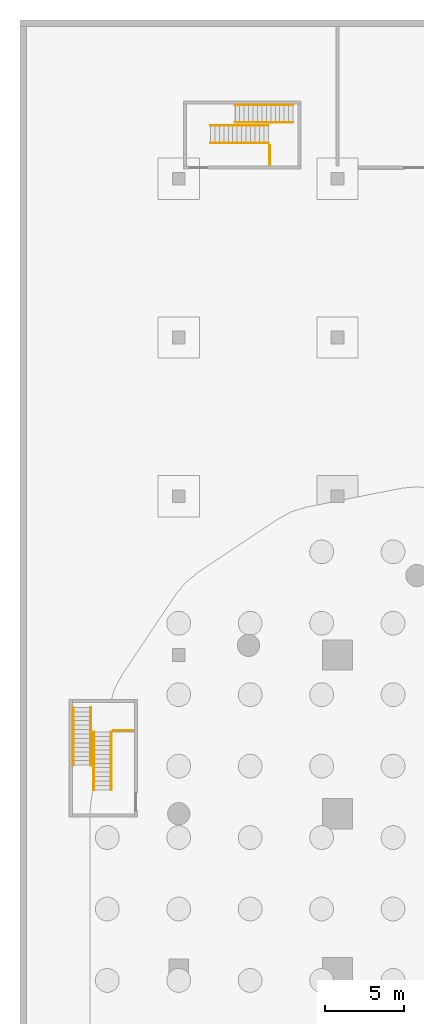
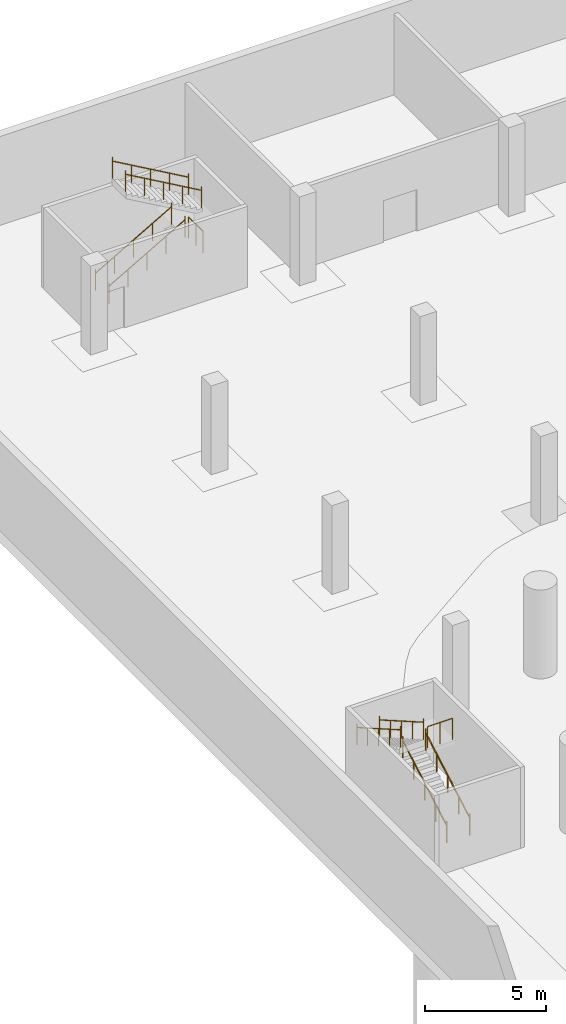
# One storey, part 17 of 19: 10 railings.
"""IFC4 building model written with IfcOpenShell, lengths in metres."""

from ifc_helpers import new_model, si_unit, direction, frame, origin, origin_2d, place, context, subcontext, project, spatial, circle, extrude, material, type_object, element, save


model = new_model("IFC4")

# Units and contexts
model_context = context("Model", 3, precision=1e-05, world=origin(), true_north=direction((0.0, 1.0)))
body_context = subcontext(model_context, "Body", "Model", "MODEL_VIEW")
ifc_project = project(units=[si_unit("LENGTHUNIT", "METRE"), si_unit("AREAUNIT", "SQUARE_METRE"), si_unit("VOLUMEUNIT", "CUBIC_METRE"), si_unit("PLANEANGLEUNIT", "RADIAN"), si_unit("MASSUNIT", "GRAM", prefix="KILO")], contexts=[model_context])

# Site, building, storey
site_placement = place(None, origin())
site = spatial("IfcSite", under=ifc_project, at=site_placement, CompositionType="ELEMENT")
building_placement = place(site_placement, origin())
building = spatial("IfcBuilding", under=site, at=building_placement, Name="Qaws Garden Tower", CompositionType="ELEMENT")
storey_placement = place(building_placement, frame((0.0, 0.0, -9.0)))
storey = spatial("IfcBuildingStorey", under=building, at=storey_placement, Name="B2", CompositionType="ELEMENT", Elevation=-9.0)

# Railings
ifc_material_1 = material(Name="Steel S355", Category="steel")
railing_type_1 = type_object("IfcRailingType", Name="Guard steel balustrade 1100", PredefinedType="GUARDRAIL", material=ifc_material_1)
railing_1_placement = place(storey_placement, frame((5.739990234375, 100.89990234375, 2.25)))
element("IfcRailing", 1, at=railing_1_placement, inside=storey, type_object=railing_type_1, Name="Stair landing guard", PredefinedType="GUARDRAIL", context=body_context, shape_type="SweptSolid", body=[
    extrude(circle(Radius=0.02392578125, at=origin_2d()), frame((0.0, 0.0, 1.076171875), z_axis=(0.0, 1.0, 0.0), x_axis=(-1.0, 0.0, 0.0)), (0.0, 0.0, 1.0), 1.2001953125),
    extrude(circle(Radius=0.02099609375, at=origin_2d()), origin(), (0.0, 0.0, 1.0), 1.052001953125),
    extrude(circle(Radius=0.02099609375, at=origin_2d()), frame((0.0, 0.60009765625, 0.0)), (0.0, 0.0, 1.0), 1.052001953125),
    extrude(circle(Radius=0.02099609375, at=origin_2d()), frame((0.0, 1.2001953125, 0.0)), (0.0, 0.0, 1.0), 1.052001953125),
])
railing_2_placement = place(storey_placement, frame((-2.89990234375, 65.239990234375, 2.25)))
element("IfcRailing", 2, at=railing_2_placement, inside=storey, type_object=railing_type_1, Name="Stair landing guard", PredefinedType="GUARDRAIL", context=body_context, shape_type="SweptSolid", body=[
    extrude(circle(Radius=0.02392578125, at=origin_2d()), frame((0.0, 0.0, 1.076171875), z_axis=(-1.0, 0.0, 0.0), x_axis=(0.0, -1.0, 0.0)), (0.0, 0.0, 1.0), 1.2001953125),
    extrude(circle(Radius=0.02099609375, at=origin_2d()), origin(), (0.0, 0.0, 1.0), 1.052001953125),
    extrude(circle(Radius=0.02099609375, at=origin_2d()), frame((-0.60009765625, 0.0, 0.0)), (0.0, 0.0, 1.0), 1.052001953125),
    extrude(circle(Radius=0.02099609375, at=origin_2d()), frame((-1.2001953125, 0.0, 0.0)), (0.0, 0.0, 1.0), 1.052001953125),
])
ifc_material_2 = material(Name="Stainless steel 316", Category="steel")
railing_type_2 = type_object("IfcRailingType", Name="Handrail 900", PredefinedType="HANDRAIL", material=ifc_material_2)
for number, where, name in (
    (3, (2.0, 102.25, 0.16064453125), "Stair handrail"),
    (4, (2.0, 103.35009765625, 0.16064453125), "Stair handrail"),
):
    element("IfcRailing", number, at=place(storey_placement, frame(where)), inside=storey, type_object=railing_type_2, Name=name, PredefinedType="HANDRAIL", context=body_context, shape_type="SweptSolid", body=[
        extrude(circle(Radius=0.02392578125, at=origin_2d()), frame((0.0, 0.0, 0.8759765625), z_axis=(0.8672749571, 0.0, 0.497829437445), x_axis=(0.0, 1.0, 0.0)), (0.0, 0.0, 1.0), 4.197021484375),
        extrude(circle(Radius=0.02099609375, at=origin_2d()), origin(), (0.0, 0.0, 1.0), 1.06103515625),
        extrude(circle(Radius=0.02099609375, at=origin_2d()), frame((0.909912109375, 0.0, 0.5224609375)), (0.0, 0.0, 1.0), 0.851806640625),
        extrude(circle(Radius=0.02099609375, at=origin_2d()), frame((1.81982421875, 0.0, 1.044677734375)), (0.0, 0.0, 1.0), 0.851806640625),
        extrude(circle(Radius=0.02099609375, at=origin_2d()), frame((2.72998046875, 0.0, 1.56689453125)), (0.0, 0.0, 1.0), 0.851806640625),
        extrude(circle(Radius=0.02099609375, at=origin_2d()), frame((3.639892578125, 0.0, 2.08935546875)), (0.0, 0.0, 1.0), 1.06103515625),
    ])
for number, where, name in (
    (5, (7.199951171875, 103.550048828125, 2.41064453125), "Stair handrail"),
    (6, (7.199951171875, 104.64990234375, 2.41064453125), "Stair handrail"),
):
    element("IfcRailing", number, at=place(storey_placement, frame(where)), inside=storey, type_object=railing_type_2, Name=name, PredefinedType="HANDRAIL", context=body_context, shape_type="SweptSolid", body=[
        extrude(circle(Radius=0.02392578125, at=origin_2d()), frame((0.0, 0.0, 0.8759765625), z_axis=(-0.8672749571, 0.0, 0.497829437445), x_axis=(0.0, -1.0, 0.0)), (0.0, 0.0, 1.0), 4.197021484375),
        extrude(circle(Radius=0.02099609375, at=origin_2d()), origin(), (0.0, 0.0, 1.0), 1.06103515625),
        extrude(circle(Radius=0.02099609375, at=origin_2d()), frame((-0.909912109375, 0.0, 0.5224609375)), (0.0, 0.0, 1.0), 0.851806640625),
        extrude(circle(Radius=0.02099609375, at=origin_2d()), frame((-1.81982421875, 0.0, 1.044677734375)), (0.0, 0.0, 1.0), 0.851806640625),
        extrude(circle(Radius=0.02099609375, at=origin_2d()), frame((-2.72998046875, 0.0, 1.56689453125)), (0.0, 0.0, 1.0), 0.851806640625),
        extrude(circle(Radius=0.02099609375, at=origin_2d()), frame((-3.639892578125, 0.0, 2.08935546875)), (0.0, 0.0, 1.0), 1.06103515625),
    ])
for number, where, name in (
    (7, (-4.25, 61.5, 0.16064453125), "Stair handrail"),
    (8, (-5.35009765625, 61.5, 0.16064453125), "Stair handrail"),
):
    element("IfcRailing", number, at=place(storey_placement, frame(where)), inside=storey, type_object=railing_type_2, Name=name, PredefinedType="HANDRAIL", context=body_context, shape_type="SweptSolid", body=[
        extrude(circle(Radius=0.02392578125, at=origin_2d()), frame((0.0, 0.0, 0.8759765625), z_axis=(0.0, 0.8672749571, 0.497829437445), x_axis=(-1.0, 0.0, 0.0)), (0.0, 0.0, 1.0), 4.197021484375),
        extrude(circle(Radius=0.02099609375, at=origin_2d()), origin(), (0.0, 0.0, 1.0), 1.06103515625),
        extrude(circle(Radius=0.02099609375, at=origin_2d()), frame((0.0, 0.909912109375, 0.5224609375)), (0.0, 0.0, 1.0), 0.851806640625),
        extrude(circle(Radius=0.02099609375, at=origin_2d()), frame((0.0, 1.81982421875, 1.044677734375)), (0.0, 0.0, 1.0), 0.851806640625),
        extrude(circle(Radius=0.02099609375, at=origin_2d()), frame((0.0, 2.72998046875, 1.56689453125)), (0.0, 0.0, 1.0), 0.851806640625),
        extrude(circle(Radius=0.02099609375, at=origin_2d()), frame((0.0, 3.639892578125, 2.08935546875)), (0.0, 0.0, 1.0), 1.06103515625),
    ])
for number, where, name in (
    (9, (-5.550048828125, 66.699951171875, 2.41064453125), "Stair handrail"),
    (10, (-6.64990234375, 66.699951171875, 2.41064453125), "Stair handrail"),
):
    element("IfcRailing", number, at=place(storey_placement, frame(where)), inside=storey, type_object=railing_type_2, Name=name, PredefinedType="HANDRAIL", context=body_context, shape_type="SweptSolid", body=[
        extrude(circle(Radius=0.02392578125, at=origin_2d()), frame((0.0, 0.0, 0.8759765625), z_axis=(0.0, -0.8672749571, 0.497829437445), x_axis=(1.0, 0.0, 0.0)), (0.0, 0.0, 1.0), 4.197021484375),
        extrude(circle(Radius=0.02099609375, at=origin_2d()), origin(), (0.0, 0.0, 1.0), 1.06103515625),
        extrude(circle(Radius=0.02099609375, at=origin_2d()), frame((0.0, -0.909912109375, 0.5224609375)), (0.0, 0.0, 1.0), 0.851806640625),
        extrude(circle(Radius=0.02099609375, at=origin_2d()), frame((0.0, -1.81982421875, 1.044677734375)), (0.0, 0.0, 1.0), 0.851806640625),
        extrude(circle(Radius=0.02099609375, at=origin_2d()), frame((0.0, -2.72998046875, 1.56689453125)), (0.0, 0.0, 1.0), 0.851806640625),
        extrude(circle(Radius=0.02099609375, at=origin_2d()), frame((0.0, -3.639892578125, 2.08935546875)), (0.0, 0.0, 1.0), 1.06103515625),
    ])

save(model, "model.ifc")
